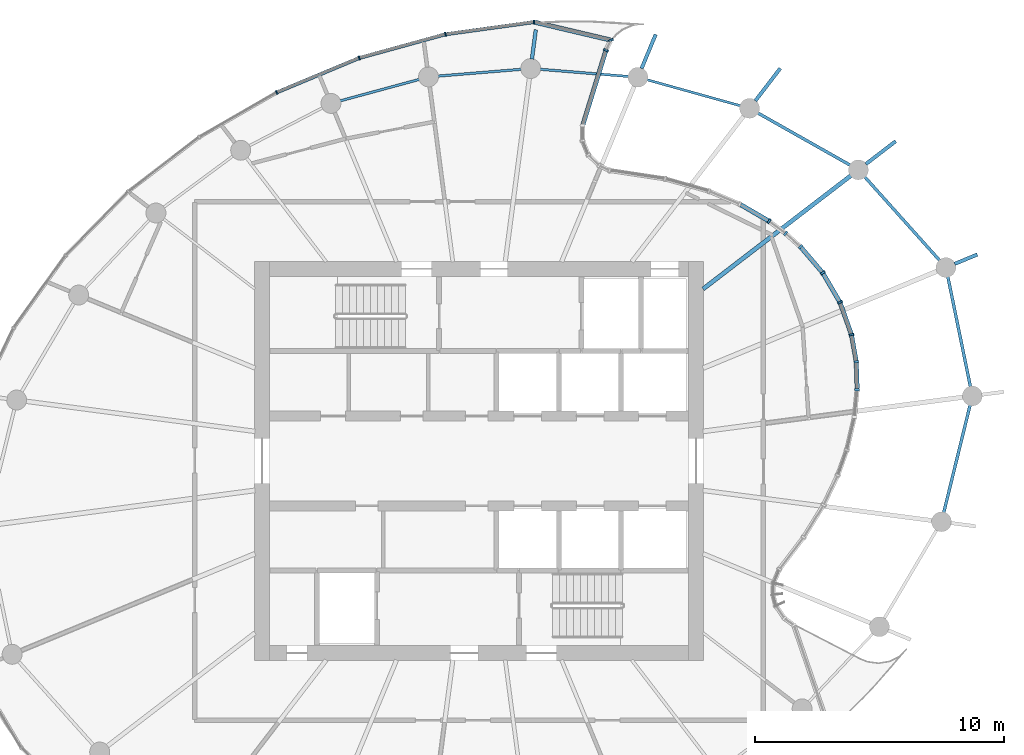
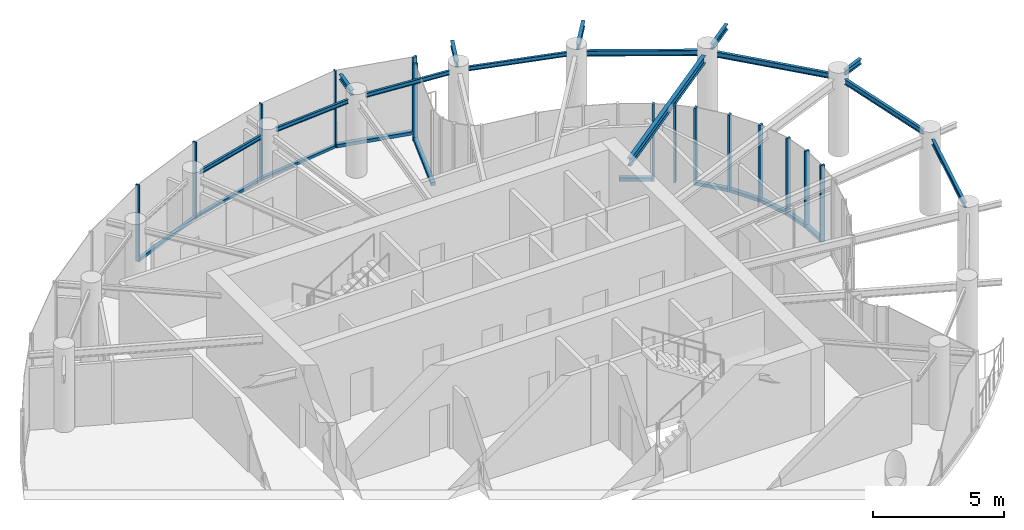
# One storey, part 6 of 14: 25 members, 14 beams, 4 elements without a shape of their own.
"""IFC4 building model written with IfcOpenShell, lengths in metres."""

from ifc_helpers import new_model, si_unit, direction, frame, origin, origin_2d, place, context, subcontext, project, spatial, rectangle, i_section, extrude, source, transform, mapped, material, layer, layer_set, material_profile, profile_set, type_object, element, aggregate, save


model = new_model("IFC4")

# Units and contexts
model_context = context("Model", 3, precision=1e-05, world=origin(), true_north=direction((0.0, 1.0)))
body_context = subcontext(model_context, "Body", "Model", "MODEL_VIEW")
ifc_project = project(units=[si_unit("LENGTHUNIT", "METRE"), si_unit("AREAUNIT", "SQUARE_METRE"), si_unit("VOLUMEUNIT", "CUBIC_METRE"), si_unit("PLANEANGLEUNIT", "RADIAN"), si_unit("MASSUNIT", "GRAM", prefix="KILO")], contexts=[model_context])

# Site, building, storey
site_placement = place(None, origin())
site = spatial("IfcSite", under=ifc_project, at=site_placement, CompositionType="ELEMENT")
building_placement = place(site_placement, origin())
building = spatial("IfcBuilding", under=site, at=building_placement, Name="Spindrift Exchange Tower", CompositionType="ELEMENT")
storey_placement = place(building_placement, frame((0.0, 0.0, 238.39990234375)))
storey = spatial("IfcBuildingStorey", under=building, at=storey_placement, Name="L58", CompositionType="ELEMENT", Elevation=238.39990234375)

# Beams
ifc_material_1 = material(Name="Steel Grade 300", Category="steel")
ifc_material_profile_1 = material_profile(ifc_material_1, i_section(OverallWidth=0.1708984375, OverallDepth=0.35205078125, WebThickness=0.0068359375, FlangeThickness=0.009765625, FilletRadius=0.013916015625, at=origin_2d()), Name="360UB44.7")
ifc_profile_set_1 = profile_set([ifc_material_profile_1], Name="Steel Grade 300")
beam_type_1 = type_object("IfcBeamType", Name="Floor Beam 360UB44.7 Steel Grade 300", PredefinedType="BEAM", material=ifc_profile_set_1)
shared_shape_1 = source(origin(), body_context, "Body", "SweptSolid", [
    extrude(i_section(OverallWidth=0.1708984375, OverallDepth=0.35205078125, WebThickness=0.0068359375, FlangeThickness=0.009765625, FilletRadius=0.013916015625, at=origin_2d()), origin(), (0.0, 0.0, 1.0), 7.466796875),
])
beam_1_placement = place(storey_placement, frame((60.984130859375, 54.893798828125, 3.404052734375), z_axis=(0.793360004804, 0.608752743548, 0.0), x_axis=(-0.608752743548, 0.793360004804, 0.0)))
element("IfcBeam", 1, at=beam_1_placement, inside=storey, type_object=beam_type_1, Name="L58 radial beam R03A", PredefinedType="BEAM", context=body_context, shape_type="MappedRepresentation", body=[
    mapped(shared_shape_1, transform((0.0, 0.0, 0.0), scale=1.0)),
])
ifc_material_profile_2 = material_profile(ifc_material_1, i_section(OverallWidth=0.1240234375, OverallDepth=0.248046875, WebThickness=0.0048828125, FlangeThickness=0.008056640625, FilletRadius=0.011962890625, at=origin_2d()), Name="250UB25.7")
ifc_profile_set_2 = profile_set([ifc_material_profile_2], Name="Steel Grade 300")
beam_type_2 = type_object("IfcBeamType", Name="Edge Beam 250UB25.7 Steel Grade 300", PredefinedType="SPANDREL", material=ifc_profile_set_2)
shared_shape_2 = source(origin(), body_context, "Body", "SweptSolid", [
    extrude(i_section(OverallWidth=0.1240234375, OverallDepth=0.248046875, WebThickness=0.0048828125, FlangeThickness=0.008056640625, FilletRadius=0.011962890625, at=origin_2d()), origin(), (0.0, 0.0, 1.0), 4.497802734375),
])
beam_2_placement = place(storey_placement, frame((71.700927734375, 50.975830078125, 3.4560546875), z_axis=(-0.201217935785, 0.979546498293, 0.0), x_axis=(-0.979546498293, -0.201217935785, 0.0)))
element("IfcBeam", 2, at=beam_2_placement, inside=storey, type_object=beam_type_2, Name="L58 edge beam E01", PredefinedType="SPANDREL", context=body_context, shape_type="MappedRepresentation", body=[
    mapped(shared_shape_2, transform((0.0, 0.0, 0.0), scale=1.0)),
])
shared_shape_3 = source(origin(), body_context, "Body", "SweptSolid", [
    extrude(i_section(OverallWidth=0.1240234375, OverallDepth=0.248046875, WebThickness=0.0048828125, FlangeThickness=0.008056640625, FilletRadius=0.011962890625, at=origin_2d()), origin(), (0.0, 0.0, 1.0), 4.499755859375),
])
beam_3_placement = place(storey_placement, frame((70.466064453125, 56.036865234375, 3.4560546875), z_axis=(-0.667419502646, 0.744681950558, 0.0), x_axis=(-0.744681950558, -0.667419502646, 0.0)))
element("IfcBeam", 3, at=beam_3_placement, inside=storey, type_object=beam_type_2, Name="L58 edge beam E02", PredefinedType="SPANDREL", context=body_context, shape_type="MappedRepresentation", body=[
    mapped(shared_shape_3, transform((0.0, 0.0, 0.0), scale=1.0)),
])
shared_shape_4 = source(origin(), body_context, "Body", "SweptSolid", [
    extrude(i_section(OverallWidth=0.1240234375, OverallDepth=0.248046875, WebThickness=0.0048828125, FlangeThickness=0.008056640625, FilletRadius=0.011962890625, at=origin_2d()), origin(), (0.0, 0.0, 1.0), 4.2509765625),
])
beam_4_placement = place(storey_placement, frame((66.878662109375, 59.857666015625, 3.4560546875), z_axis=(-0.870615246867, 0.491964523033, 0.0), x_axis=(-0.491964523033, -0.870615246867, 0.0)))
element("IfcBeam", 4, at=beam_4_placement, inside=storey, type_object=beam_type_2, Name="L58 edge beam E03", PredefinedType="SPANDREL", context=body_context, shape_type="MappedRepresentation", body=[
    mapped(shared_shape_4, transform((0.0, 0.0, 0.0), scale=1.0)),
])
ifc_material_profile_3 = material_profile(ifc_material_1, i_section(OverallWidth=0.09912109375, OverallDepth=0.197998046875, WebThickness=0.00439453125, FlangeThickness=0.007080078125, FilletRadius=0.010986328125, at=origin_2d()), Name="200UB18.2")
ifc_profile_set_3 = profile_set([ifc_material_profile_3], Name="Steel Grade 300")
beam_type_3 = type_object("IfcBeamType", Name="Edge Beam 200UB18.2 Steel Grade 300", PredefinedType="SPANDREL", material=ifc_profile_set_3)
shared_shape_5 = source(origin(), body_context, "Body", "SweptSolid", [
    extrude(i_section(OverallWidth=0.09912109375, OverallDepth=0.197998046875, WebThickness=0.00439453125, FlangeThickness=0.007080078125, FilletRadius=0.010986328125, at=origin_2d()), origin(), (0.0, 0.0, 1.0), 3.885498046875),
])
beam_5_placement = place(storey_placement, frame((62.480712890625, 62.238037109375, 3.481201171875), z_axis=(-0.963333134661, 0.268308165482, 0.0), x_axis=(-0.268308165482, -0.963333134661, 0.0)))
element("IfcBeam", 5, at=beam_5_placement, inside=storey, type_object=beam_type_3, Name="L58 edge beam E04", PredefinedType="SPANDREL", context=body_context, shape_type="MappedRepresentation", body=[
    mapped(shared_shape_5, transform((0.0, 0.0, 0.0), scale=1.0)),
])
shared_shape_6 = source(origin(), body_context, "Body", "SweptSolid", [
    extrude(i_section(OverallWidth=0.09912109375, OverallDepth=0.197998046875, WebThickness=0.00439453125, FlangeThickness=0.007080078125, FilletRadius=0.010986328125, at=origin_2d()), origin(), (0.0, 0.0, 1.0), 3.5546875),
])
beam_6_placement = place(storey_placement, frame((57.992919921875, 63.413330078125, 3.481201171875), z_axis=(-0.996727103969, 0.080839842983, 0.0), x_axis=(-0.080839842983, -0.996727103969, 0.0)))
element("IfcBeam", 6, at=beam_6_placement, inside=storey, type_object=beam_type_3, Name="L58 edge beam E05", PredefinedType="SPANDREL", context=body_context, shape_type="MappedRepresentation", body=[
    mapped(shared_shape_6, transform((0.0, 0.0, 0.0), scale=1.0)),
])
shared_shape_7 = source(origin(), body_context, "Body", "SweptSolid", [
    extrude(i_section(OverallWidth=0.09912109375, OverallDepth=0.197998046875, WebThickness=0.00439453125, FlangeThickness=0.007080078125, FilletRadius=0.010986328125, at=origin_2d()), origin(), (0.0, 0.0, 1.0), 3.351806640625),
])
beam_7_placement = place(storey_placement, frame((53.6923828125, 63.7001953125, 3.481201171875), z_axis=(-0.996672670999, -0.081508201334, 0.0), x_axis=(0.081508201334, -0.996672670999, 0.0)))
element("IfcBeam", 7, at=beam_7_placement, inside=storey, type_object=beam_type_3, Name="L58 edge beam E06", PredefinedType="SPANDREL", context=body_context, shape_type="MappedRepresentation", body=[
    mapped(shared_shape_7, transform((0.0, 0.0, 0.0), scale=1.0)),
])
shared_shape_8 = source(origin(), body_context, "Body", "SweptSolid", [
    extrude(i_section(OverallWidth=0.09912109375, OverallDepth=0.197998046875, WebThickness=0.00439453125, FlangeThickness=0.007080078125, FilletRadius=0.010986328125, at=origin_2d()), origin(), (0.0, 0.0, 1.0), 3.2919921875),
])
beam_8_placement = place(storey_placement, frame((49.6064453125, 63.29638671875, 3.481201171875), z_axis=(-0.965045644564, -0.262081864896, 0.0), x_axis=(0.262081864896, -0.965045644564, 0.0)))
element("IfcBeam", 8, at=beam_8_placement, inside=storey, type_object=beam_type_3, Name="L58 edge beam E07", PredefinedType="SPANDREL", context=body_context, shape_type="MappedRepresentation", body=[
    mapped(shared_shape_8, transform((0.0, 0.0, 0.0), scale=1.0)),
])
shared_shape_9 = source(origin(), body_context, "Body", "SweptSolid", [
    extrude(i_section(OverallWidth=0.1240234375, OverallDepth=0.248046875, WebThickness=0.0048828125, FlangeThickness=0.008056640625, FilletRadius=0.011962890625, at=origin_2d()), origin(), (0.0, 0.0, 1.0), 4.43408203125),
])
beam_9_placement = place(storey_placement, frame((70.630615234375, 45.92822265625, 3.4560546875), z_axis=(0.238193109804, 0.971217814109, 0.0), x_axis=(-0.971217814109, 0.238193109804, 0.0)))
element("IfcBeam", 9, at=beam_9_placement, inside=storey, type_object=beam_type_2, Name="L58 edge beam E24", PredefinedType="SPANDREL", context=body_context, shape_type="MappedRepresentation", body=[
    mapped(shared_shape_9, transform((0.0, 0.0, 0.0), scale=1.0)),
])
ifc_material_profile_4 = material_profile(ifc_material_1, i_section(OverallWidth=0.14599609375, OverallDepth=0.251953125, WebThickness=0.006103515625, FlangeThickness=0.008544921875, FilletRadius=0.011962890625, at=origin_2d()), Name="250UB31.4")
ifc_profile_set_4 = profile_set([ifc_material_profile_4], Name="Steel Grade 300")
beam_type_4 = type_object("IfcBeamType", Name="Cantilever Beam 250UB31.4 Steel Grade 300", PredefinedType="BEAM", material=ifc_profile_set_4)
shared_shape_10 = source(origin(), body_context, "Body", "SweptSolid", [
    extrude(i_section(OverallWidth=0.14599609375, OverallDepth=0.251953125, WebThickness=0.006103515625, FlangeThickness=0.008544921875, FilletRadius=0.011962890625, at=origin_2d()), origin(), (0.0, 0.0, 1.0), 0.982177734375),
])
beam_10_placement = place(storey_placement, frame((71.07080078125, 55.8994140625, 3.4541015625), z_axis=(0.923847174836, 0.382761541363, 0.0), x_axis=(-0.382761541363, 0.923847174836, 0.0)))
element("IfcBeam", 10, at=beam_10_placement, inside=storey, type_object=beam_type_4, Name="L58 cantilever beam R02T", PredefinedType="BEAM", context=body_context, shape_type="MappedRepresentation", body=[
    mapped(shared_shape_10, transform((0.0, 0.0, 0.0), scale=1.0)),
])
shared_shape_11 = source(origin(), body_context, "Body", "SweptSolid", [
    extrude(i_section(OverallWidth=0.14599609375, OverallDepth=0.251953125, WebThickness=0.006103515625, FlangeThickness=0.008544921875, FilletRadius=0.011962890625, at=origin_2d()), origin(), (0.0, 0.0, 1.0), 1.505859375),
])
beam_11_placement = place(storey_placement, frame((67.510986328125, 59.90185546875, 3.4541015625), z_axis=(0.793316610428, 0.608809293308, 0.0), x_axis=(-0.608809293308, 0.793316610428, 0.0)))
element("IfcBeam", 11, at=beam_11_placement, inside=storey, type_object=beam_type_4, Name="L58 cantilever beam R03T", PredefinedType="BEAM", context=body_context, shape_type="MappedRepresentation", body=[
    mapped(shared_shape_11, transform((0.0, 0.0, 0.0), scale=1.0)),
])
shared_shape_12 = source(origin(), body_context, "Body", "SweptSolid", [
    extrude(i_section(OverallWidth=0.14599609375, OverallDepth=0.251953125, WebThickness=0.006103515625, FlangeThickness=0.008544921875, FilletRadius=0.011962890625, at=origin_2d()), origin(), (0.0, 0.0, 1.0), 1.640380859375),
])
beam_12_placement = place(storey_placement, frame((63.078369140625, 62.4375, 3.4541015625), z_axis=(0.608703333752, 0.793397914971, 0.0), x_axis=(-0.793397914971, 0.608703333752, 0.0)))
element("IfcBeam", 12, at=beam_12_placement, inside=storey, type_object=beam_type_4, Name="L58 cantilever beam R04T", PredefinedType="BEAM", context=body_context, shape_type="MappedRepresentation", body=[
    mapped(shared_shape_12, transform((0.0, 0.0, 0.0), scale=1.0)),
])
shared_shape_13 = source(origin(), body_context, "Body", "SweptSolid", [
    extrude(i_section(OverallWidth=0.14599609375, OverallDepth=0.251953125, WebThickness=0.006103515625, FlangeThickness=0.008544921875, FilletRadius=0.011962890625, at=origin_2d()), origin(), (0.0, 0.0, 1.0), 1.478515625),
])
beam_13_placement = place(storey_placement, frame((58.51708984375, 63.733642578125, 3.4541015625), z_axis=(0.382750394355, 0.923851793104, 0.0), x_axis=(-0.923851793104, 0.382750394355, 0.0)))
element("IfcBeam", 13, at=beam_13_placement, inside=storey, type_object=beam_type_4, Name="L58 cantilever beam R05T", PredefinedType="BEAM", context=body_context, shape_type="MappedRepresentation", body=[
    mapped(shared_shape_13, transform((0.0, 0.0, 0.0), scale=1.0)),
])
shared_shape_14 = source(origin(), body_context, "Body", "SweptSolid", [
    extrude(i_section(OverallWidth=0.14599609375, OverallDepth=0.251953125, WebThickness=0.006103515625, FlangeThickness=0.008544921875, FilletRadius=0.011962890625, at=origin_2d()), origin(), (0.0, 0.0, 1.0), 1.18896484375),
])
beam_14_placement = place(storey_placement, frame((54.12060546875, 64.108154296875, 3.4541015625), z_axis=(0.130603247307, 0.991434713833, 0.0), x_axis=(-0.991434713833, 0.130603247307, 0.0)))
element("IfcBeam", 14, at=beam_14_placement, inside=storey, type_object=beam_type_4, Name="L58 cantilever beam R06T", PredefinedType="BEAM", context=body_context, shape_type="MappedRepresentation", body=[
    mapped(shared_shape_14, transform((0.0, 0.0, 0.0), scale=1.0)),
])

# Curtain wall, members
ifc_material_2 = material(Name="Fritted laminated glass with bronze frame", Category="glass")
ifc_layer_1 = layer(ifc_material_2, 0.199951171875)
ifc_layer_set_1 = layer_set([ifc_layer_1], Name="SKY GARDEN BRONZE GLAZED WALL")
curtain_wall_type_1 = type_object("IfcCurtainWallType", Name="SKY GARDEN BRONZE GLAZED WALL", PredefinedType="NOTDEFINED", material=ifc_layer_set_1)
curtain_wall_1_placement = place(storey_placement, origin())
curtain_wall_1 = element("IfcCurtainWall", 15, at=curtain_wall_1_placement, inside=storey, type_object=curtain_wall_type_1, Name="L58 Sky Garden Bronze Glazed Wall run 7", PredefinedType="NOTDEFINED")
ifc_material_3 = material(Name="Bronze anodised aluminium", Category="aluminium")
ifc_material_profile_5 = material_profile(ifc_material_3, rectangle(XDim=0.179931640625, YDim=0.14990234375, at=origin_2d()), Name="SKY GARDEN BRONZE GLAZED WALL TRANSOM 180X150")
ifc_profile_set_5 = profile_set([ifc_material_profile_5], Name="Bronze anodised aluminium")
member_type_1 = type_object("IfcMemberType", Name="SKY GARDEN BRONZE GLAZED WALL TRANSOM 180X150", PredefinedType="USERDEFINED", material=ifc_profile_set_5)
shared_shape_15 = source(origin(), body_context, "Body", "SweptSolid", [
    extrude(rectangle(XDim=0.179931640625, YDim=0.14990234375, at=origin_2d()), origin(), (0.0, 0.0, 1.0), 1.28857421875),
])
member_1_placement = place(storey_placement, frame((65.753662109375, 55.572509765625, 0.0751953125), z_axis=(-0.649714048215, 0.760178699749, 0.0), x_axis=(-0.760178699749, -0.649714048215, 0.0)))
member_1 = element("IfcMember", 16, at=member_1_placement, type_object=member_type_1, Name="L58 transom CW-G.39", ObjectType="TRANSOM", PredefinedType="USERDEFINED", context=body_context, shape_type="MappedRepresentation", body=[
    mapped(shared_shape_15, transform((0.0, 0.0, 0.0), scale=1.0)),
])
ifc_material_profile_6 = material_profile(ifc_material_3, rectangle(XDim=0.0849609375, YDim=0.199951171875, at=origin_2d()), Name="SKY GARDEN BRONZE GLAZED WALL MULLION 85X200")
ifc_profile_set_6 = profile_set([ifc_material_profile_6], Name="Bronze anodised aluminium")
member_type_2 = type_object("IfcMemberType", Name="SKY GARDEN BRONZE GLAZED WALL MULLION 85X200", PredefinedType="MULLION", material=ifc_profile_set_6)
shared_shape_16 = source(origin(), body_context, "Body", "SweptSolid", [
    extrude(rectangle(XDim=0.0849609375, YDim=0.199951171875, at=origin_2d()), origin(), (0.0, 0.0, 1.0), 3.580078125),
])
member_2_placement = place(storey_placement, frame((67.16162109375, 50.852783203125, 0.0), z_axis=(0.0, 0.0, 1.0), x_axis=(0.031882269314, 0.999491631232, 0.0)))
member_2 = element("IfcMember", 17, at=member_2_placement, type_object=member_type_2, Name="L58 mullion CW-G.35", PredefinedType="MULLION", context=body_context, shape_type="MappedRepresentation", body=[
    mapped(shared_shape_16, transform((0.0, 0.0, 0.0), scale=1.0)),
])
member_3_placement = place(storey_placement, frame((67.123779296875, 51.976806640625, 0.0), z_axis=(0.0, 0.0, 1.0), x_axis=(-0.104220969065, 0.994554166251, 0.0)))
member_3 = element("IfcMember", 18, at=member_3_placement, type_object=member_type_2, Name="L58 mullion CW-G.36", PredefinedType="MULLION", context=body_context, shape_type="MappedRepresentation", body=[
    mapped(shared_shape_16, transform((0.0, 0.0, 0.0), scale=1.0)),
])
member_4_placement = place(storey_placement, frame((66.93212890625, 53.060302734375, 0.0), z_axis=(0.0, 0.0, 1.0), x_axis=(-0.25532665171, 0.966854849978, 0.0)))
member_4 = element("IfcMember", 19, at=member_4_placement, type_object=member_type_2, Name="L58 mullion CW-G.37", PredefinedType="MULLION", context=body_context, shape_type="MappedRepresentation", body=[
    mapped(shared_shape_16, transform((0.0, 0.0, 0.0), scale=1.0)),
])
member_5_placement = place(storey_placement, frame((66.47265625, 54.354248046875, 0.0), z_axis=(0.0, 0.0, 1.0), x_axis=(-0.420930927154, 0.90709269348, 0.0)))
member_5 = element("IfcMember", 20, at=member_5_placement, type_object=member_type_2, Name="L58 mullion CW-G.38", PredefinedType="MULLION", context=body_context, shape_type="MappedRepresentation", body=[
    mapped(shared_shape_16, transform((0.0, 0.0, 0.0), scale=1.0)),
])
member_6_placement = place(storey_placement, frame((65.781494140625, 55.540283203125, 0.0), z_axis=(0.0, 0.0, 1.0), x_axis=(-0.579061490654, 0.815283870833, 0.0)))
member_6 = element("IfcMember", 21, at=member_6_placement, type_object=member_type_2, Name="L58 mullion CW-G.39", PredefinedType="MULLION", context=body_context, shape_type="MappedRepresentation", body=[
    mapped(shared_shape_16, transform((0.0, 0.0, 0.0), scale=1.0)),
])
member_7_placement = place(storey_placement, frame((64.888916015625, 56.584228515625, 0.0), z_axis=(0.0, 0.0, 1.0), x_axis=(-0.698786566919, 0.715330227163, 0.0)))
member_7 = element("IfcMember", 22, at=member_7_placement, type_object=member_type_2, Name="L58 mullion CW-G.40", PredefinedType="MULLION", context=body_context, shape_type="MappedRepresentation", body=[
    mapped(shared_shape_16, transform((0.0, 0.0, 0.0), scale=1.0)),
])

curtain_wall_2_placement = place(storey_placement, origin())
curtain_wall_2 = element("IfcCurtainWall", 23, at=curtain_wall_2_placement, inside=storey, type_object=curtain_wall_type_1, Name="L58 Sky Garden Bronze Glazed Wall run 8", PredefinedType="NOTDEFINED")
member_8_placement = place(storey_placement, frame((64.291748046875, 57.119384765625, 0.0), z_axis=(0.0, 0.0, 1.0), x_axis=(-0.774433614582, 0.632655179862, 0.0)))
member_8 = element("IfcMember", 24, at=member_8_placement, type_object=member_type_2, Name="L58 mullion CW-G.41", PredefinedType="MULLION", context=body_context, shape_type="MappedRepresentation", body=[
    mapped(shared_shape_16, transform((0.0, 0.0, 0.0), scale=1.0)),
])
member_9_placement = place(storey_placement, frame((63.630859375, 57.610595703125, 0.0), z_axis=(0.0, 0.0, 1.0), x_axis=(-0.834934092025, 0.550349945012, 0.0)))
member_9 = element("IfcMember", 25, at=member_9_placement, type_object=member_type_2, Name="L58 mullion CW-G.42", PredefinedType="MULLION", context=body_context, shape_type="MappedRepresentation", body=[
    mapped(shared_shape_16, transform((0.0, 0.0, 0.0), scale=1.0)),
])

curtain_wall_3_placement = place(storey_placement, origin())
curtain_wall_3 = element("IfcCurtainWall", 26, at=curtain_wall_3_placement, inside=storey, type_object=curtain_wall_type_1, Name="L58 Sky Garden Bronze Glazed Wall run 9", PredefinedType="NOTDEFINED")
member_10_placement = place(storey_placement, frame((57.08837890625, 64.462890625, 0.0), z_axis=(0.0, 0.0, 1.0), x_axis=(0.366729830963, 0.930327485933, 0.0)))
member_10 = element("IfcMember", 27, at=member_10_placement, type_object=member_type_2, Name="L58 mullion CW-G.51", PredefinedType="MULLION", context=body_context, shape_type="MappedRepresentation", body=[
    mapped(shared_shape_16, transform((0.0, 0.0, 0.0), scale=1.0)),
])
member_11_placement = place(storey_placement, frame((57.28564453125, 64.870361328125, 0.0), z_axis=(0.0, 0.0, 1.0), x_axis=(-0.429759172792, 0.902943549399, 0.0)))
member_11 = element("IfcMember", 28, at=member_11_placement, type_object=member_type_2, Name="L58 mullion CW-G.52", PredefinedType="MULLION", context=body_context, shape_type="MappedRepresentation", body=[
    mapped(shared_shape_16, transform((0.0, 0.0, 0.0), scale=1.0)),
])

ifc_layer_2 = layer(ifc_material_2, 0.159912109375)
ifc_layer_set_2 = layer_set([ifc_layer_2], Name="ZONE 5 BRONZE FRITTED WALL")
curtain_wall_type_2 = type_object("IfcCurtainWallType", Name="ZONE 5 BRONZE FRITTED WALL", PredefinedType="NOTDEFINED", material=ifc_layer_set_2)
curtain_wall_4_placement = place(storey_placement, origin())
curtain_wall_4 = element("IfcCurtainWall", 29, at=curtain_wall_4_placement, inside=storey, type_object=curtain_wall_type_2, Name="L58 Zone 5 Bronze Fritted Wall run 1", PredefinedType="NOTDEFINED")
ifc_material_profile_7 = material_profile(ifc_material_3, rectangle(XDim=0.06005859375, YDim=0.159912109375, at=origin_2d()), Name="ZONE 5 BRONZE FRITTED WALL MULLION 60X160")
ifc_profile_set_7 = profile_set([ifc_material_profile_7], Name="Bronze anodised aluminium")
member_type_3 = type_object("IfcMemberType", Name="ZONE 5 BRONZE FRITTED WALL MULLION 60X160", PredefinedType="MULLION", material=ifc_profile_set_7)
shared_shape_17 = source(origin(), body_context, "Body", "SweptSolid", [
    extrude(rectangle(XDim=0.06005859375, YDim=0.159912109375, at=origin_2d()), origin(), (0.0, 0.0, 1.0), 3.580078125),
])
member_12_placement = place(storey_placement, frame((54.209228515625, 65.595703125, 0.0), z_axis=(0.0, 0.0, 1.0), x_axis=(-0.998879278887, 0.047330605432, 0.0)))
member_12 = element("IfcMember", 30, at=member_12_placement, type_object=member_type_3, Name="L58 mullion CW-5.1", PredefinedType="MULLION", context=body_context, shape_type="MappedRepresentation", body=[
    mapped(shared_shape_17, transform((0.0, 0.0, 0.0), scale=1.0)),
])
member_13_placement = place(storey_placement, frame((50.65673828125, 65.1064453125, 0.0), z_axis=(0.0, 0.0, 1.0), x_axis=(-0.979552341633, -0.201189487799, 0.0)))
member_13 = element("IfcMember", 31, at=member_13_placement, type_object=member_type_3, Name="L58 mullion CW-5.2", PredefinedType="MULLION", context=body_context, shape_type="MappedRepresentation", body=[
    mapped(shared_shape_17, transform((0.0, 0.0, 0.0), scale=1.0)),
])
member_14_placement = place(storey_placement, frame((47.19873046875, 64.15576171875, 0.0), z_axis=(0.0, 0.0, 1.0), x_axis=(-0.945429833454, -0.325825766346, 0.0)))
member_14 = element("IfcMember", 32, at=member_14_placement, type_object=member_type_3, Name="L58 mullion CW-5.3", PredefinedType="MULLION", context=body_context, shape_type="MappedRepresentation", body=[
    mapped(shared_shape_17, transform((0.0, 0.0, 0.0), scale=1.0)),
])
member_15_placement = place(storey_placement, frame((43.889404296875, 62.774169921875, 0.0), z_axis=(0.0, 0.0, 1.0), x_axis=(-0.896473837018, -0.443096670651, 0.0)))
member_15 = element("IfcMember", 33, at=member_15_placement, type_object=member_type_3, Name="L58 mullion CW-5.4", PredefinedType="MULLION", context=body_context, shape_type="MappedRepresentation", body=[
    mapped(shared_shape_17, transform((0.0, 0.0, 0.0), scale=1.0)),
])
ifc_material_profile_8 = material_profile(ifc_material_3, rectangle(XDim=0.139892578125, YDim=0.1201171875, at=origin_2d()), Name="ZONE 5 BRONZE FRITTED WALL TRANSOM 140X120")
ifc_profile_set_8 = profile_set([ifc_material_profile_8], Name="Bronze anodised aluminium")
member_type_4 = type_object("IfcMemberType", Name="ZONE 5 BRONZE FRITTED WALL TRANSOM 140X120", PredefinedType="USERDEFINED", material=ifc_profile_set_8)
shared_shape_18 = source(origin(), body_context, "Body", "SweptSolid", [
    extrude(rectangle(XDim=0.139892578125, YDim=0.1201171875, at=origin_2d()), origin(), (0.0, 0.0, 1.0), 3.5263671875),
])
member_16_placement = place(storey_placement, frame((50.6279296875, 65.098388671875, 0.06005859375), z_axis=(-0.96422176414, -0.265096943699, 0.0), x_axis=(0.265096943699, -0.96422176414, 0.0)))
member_16 = element("IfcMember", 34, at=member_16_placement, type_object=member_type_4, Name="L58 transom CW-5.2", ObjectType="TRANSOM", PredefinedType="USERDEFINED", context=body_context, shape_type="MappedRepresentation", body=[
    mapped(shared_shape_18, transform((0.0, 0.0, 0.0), scale=1.0)),
])
member_17_placement = place(storey_placement, frame((47.171142578125, 64.14404296875, 0.06005859375), z_axis=(-0.922824777506, -0.385219976145, 0.0), x_axis=(0.385219976145, -0.922824777506, 0.0)))
member_17 = element("IfcMember", 35, at=member_17_placement, type_object=member_type_4, Name="L58 transom CW-5.3", ObjectType="TRANSOM", PredefinedType="USERDEFINED", context=body_context, shape_type="MappedRepresentation", body=[
    mapped(shared_shape_18, transform((0.0, 0.0, 0.0), scale=1.0)),
])
shared_shape_19 = source(origin(), body_context, "Body", "SweptSolid", [
    extrude(rectangle(XDim=0.139892578125, YDim=0.1201171875, at=origin_2d()), origin(), (0.0, 0.0, 1.0), 3.526123046875),
])
member_18_placement = place(storey_placement, frame((54.1796875, 65.591552734375, 0.06005859375), z_axis=(-0.990654063092, -0.136398413775, 0.0), x_axis=(0.136398413775, -0.990654063092, 0.0)))
member_18 = element("IfcMember", 36, at=member_18_placement, type_object=member_type_4, Name="L58 transom CW-5.1", ObjectType="TRANSOM", PredefinedType="USERDEFINED", context=body_context, shape_type="MappedRepresentation", body=[
    mapped(shared_shape_19, transform((0.0, 0.0, 0.0), scale=1.0)),
])
aggregate(curtain_wall_4, [member_12, member_18, member_13, member_16, member_14, member_17, member_15])

# Member
shared_shape_20 = source(origin(), body_context, "Body", "SweptSolid", [
    extrude(rectangle(XDim=0.179931640625, YDim=0.14990234375, at=origin_2d()), origin(), (0.0, 0.0, 1.0), 1.03955078125),
])
member_19_placement = place(storey_placement, frame((67.16015625, 50.895263671875, 0.0751953125), z_axis=(-0.033580674212, 0.999436010117, 0.0), x_axis=(-0.999436010117, -0.033580674212, 0.0)))
member_19 = element("IfcMember", 37, at=member_19_placement, type_object=member_type_1, Name="L58 transom CW-G.35", ObjectType="TRANSOM", PredefinedType="USERDEFINED", context=body_context, shape_type="MappedRepresentation", body=[
    mapped(shared_shape_20, transform((0.0, 0.0, 0.0), scale=1.0)),
])

shared_shape_21 = source(origin(), body_context, "Body", "SweptSolid", [
    extrude(rectangle(XDim=0.179931640625, YDim=0.14990234375, at=origin_2d()), origin(), (0.0, 0.0, 1.0), 1.28759765625),
])
member_20_placement = place(storey_placement, frame((66.451416015625, 54.39111328125, 0.0751953125), z_axis=(-0.503776711932, 0.86383391026, 0.0), x_axis=(-0.86383391026, -0.503776711932, 0.0)))
member_20 = element("IfcMember", 38, at=member_20_placement, type_object=member_type_1, Name="L58 transom CW-G.38", ObjectType="TRANSOM", PredefinedType="USERDEFINED", context=body_context, shape_type="MappedRepresentation", body=[
    mapped(shared_shape_21, transform((0.0, 0.0, 0.0), scale=1.0)),
])

shared_shape_22 = source(origin(), body_context, "Body", "SweptSolid", [
    extrude(rectangle(XDim=0.179931640625, YDim=0.14990234375, at=origin_2d()), origin(), (0.0, 0.0, 1.0), 1.276611328125),
])
member_21_placement = place(storey_placement, frame((63.593994140625, 57.6318359375, 0.0751953125), z_axis=(-0.864547764058, 0.502550657807, 0.0), x_axis=(-0.502550657807, -0.864547764058, 0.0)))
member_21 = element("IfcMember", 39, at=member_21_placement, type_object=member_type_1, Name="L58 transom CW-G.42", ObjectType="TRANSOM", PredefinedType="USERDEFINED", context=body_context, shape_type="MappedRepresentation", body=[
    mapped(shared_shape_22, transform((0.0, 0.0, 0.0), scale=1.0)),
])

aggregate(curtain_wall_2, [member_8, member_9, member_21])

shared_shape_23 = source(origin(), body_context, "Body", "SweptSolid", [
    extrude(rectangle(XDim=0.179931640625, YDim=0.14990234375, at=origin_2d()), origin(), (0.0, 0.0, 1.0), 3.07177734375),
])
member_22_placement = place(storey_placement, frame((56.16748046875, 61.488037109375, 0.0751953125), z_axis=(0.295744169921, 0.955267180404, 0.0), x_axis=(-0.955267180404, 0.295744169921, 0.0)))
member_22 = element("IfcMember", 40, at=member_22_placement, type_object=member_type_1, Name="L58 transom CW-G.50", ObjectType="TRANSOM", PredefinedType="USERDEFINED", context=body_context, shape_type="MappedRepresentation", body=[
    mapped(shared_shape_23, transform((0.0, 0.0, 0.0), scale=1.0)),
])

shared_shape_24 = source(origin(), body_context, "Body", "SweptSolid", [
    extrude(rectangle(XDim=0.179931640625, YDim=0.14990234375, at=origin_2d()), origin(), (0.0, 0.0, 1.0), 1.015380859375),
])
member_23_placement = place(storey_placement, frame((67.116455078125, 52.018798828125, 0.0751953125), z_axis=(-0.174334009207, 0.984686576142, 0.0), x_axis=(-0.984686576142, -0.174334009207, 0.0)))
member_23 = element("IfcMember", 41, at=member_23_placement, type_object=member_type_1, Name="L58 transom CW-G.36", ObjectType="TRANSOM", PredefinedType="USERDEFINED", context=body_context, shape_type="MappedRepresentation", body=[
    mapped(shared_shape_24, transform((0.0, 0.0, 0.0), scale=1.0)),
])

shared_shape_25 = source(origin(), body_context, "Body", "SweptSolid", [
    extrude(rectangle(XDim=0.179931640625, YDim=0.14990234375, at=origin_2d()), origin(), (0.0, 0.0, 1.0), 1.2880859375),
])
member_24_placement = place(storey_placement, frame((66.91796875, 53.100341796875, 0.0751953125), z_axis=(-0.334703051399, 0.942323653202, 0.0), x_axis=(-0.942323653202, -0.334703051399, 0.0)))
member_24 = element("IfcMember", 42, at=member_24_placement, type_object=member_type_1, Name="L58 transom CW-G.37", ObjectType="TRANSOM", PredefinedType="USERDEFINED", context=body_context, shape_type="MappedRepresentation", body=[
    mapped(shared_shape_25, transform((0.0, 0.0, 0.0), scale=1.0)),
])

aggregate(curtain_wall_1, [member_2, member_19, member_3, member_23, member_4, member_24, member_5, member_20, member_6, member_1, member_7])

shared_shape_26 = source(origin(), body_context, "Body", "SweptSolid", [
    extrude(rectangle(XDim=0.179931640625, YDim=0.14990234375, at=origin_2d()), origin(), (0.0, 0.0, 1.0), 3.075439453125),
])
member_25_placement = place(storey_placement, frame((57.244140625, 64.880126953125, 0.0751953125), z_axis=(-0.973309830098, 0.229495042722, 0.0), x_axis=(-0.229495042722, -0.973309830098, 0.0)))
member_25 = element("IfcMember", 43, at=member_25_placement, type_object=member_type_1, Name="L58 transom CW-G.52", ObjectType="TRANSOM", PredefinedType="USERDEFINED", context=body_context, shape_type="MappedRepresentation", body=[
    mapped(shared_shape_26, transform((0.0, 0.0, 0.0), scale=1.0)),
])

aggregate(curtain_wall_3, [member_22, member_10, member_11, member_25])

save(model, "model.ifc")
